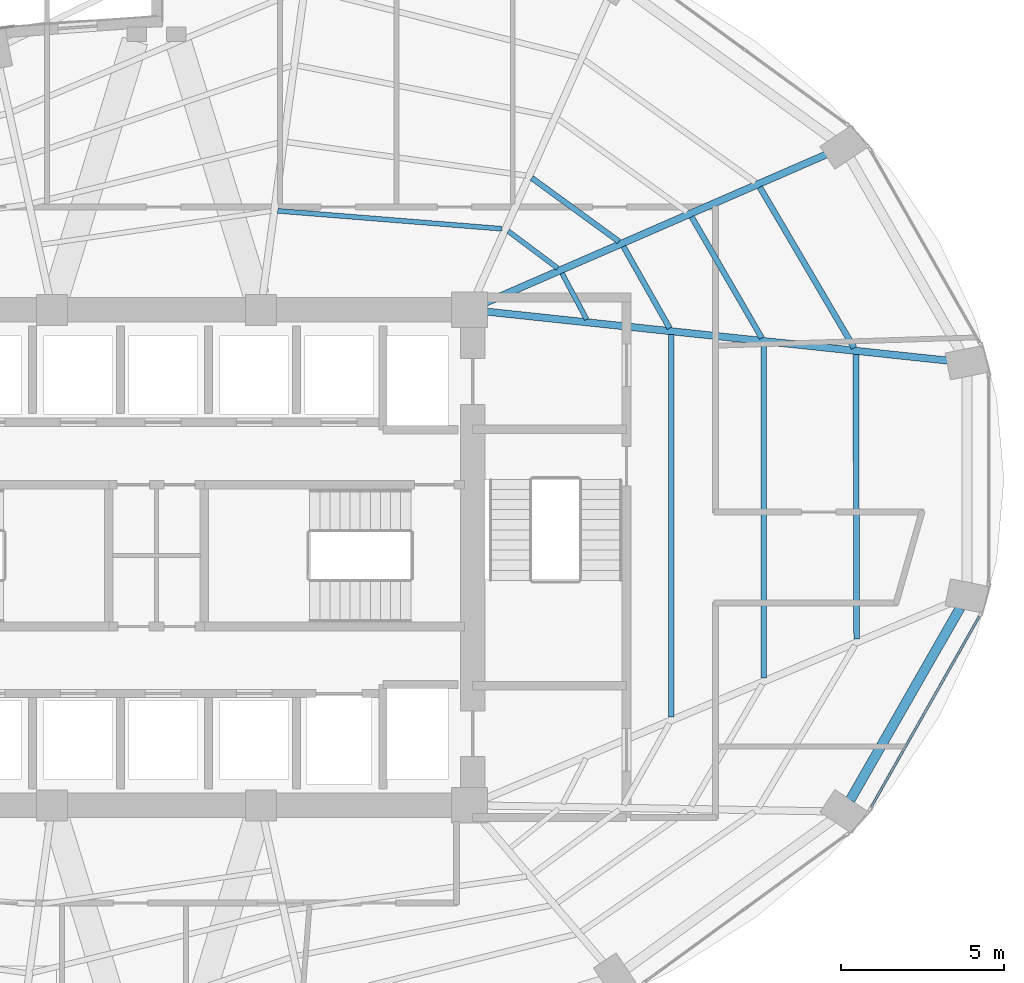
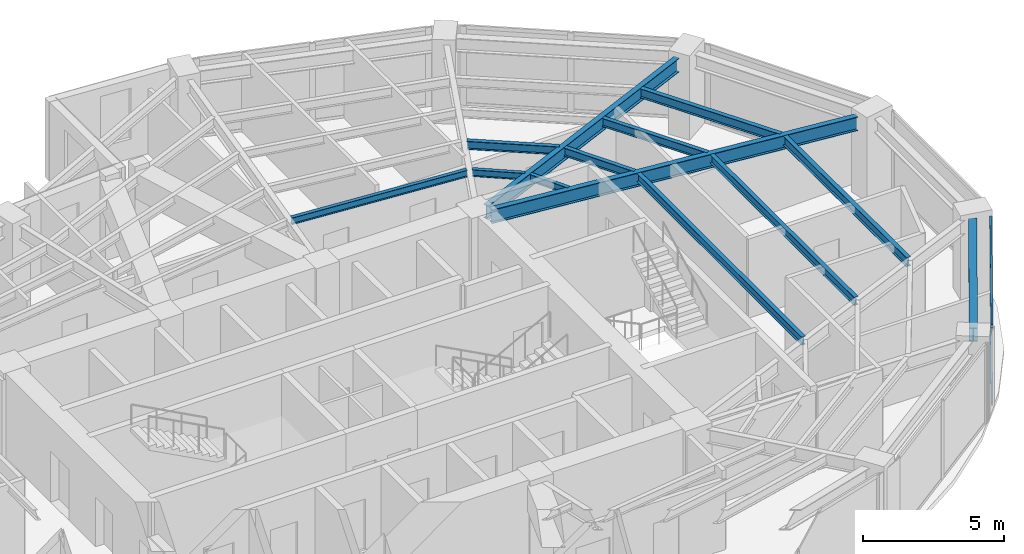
# One storey, part 12 of 23: 13 beams, 2 members, 1 element without a shape of its own.
"""IFC4 building model written with IfcOpenShell, lengths in metres."""

from ifc_helpers import new_model, si_unit, direction, frame, origin, origin_2d, place, context, subcontext, project, spatial, hollow_rectangle, i_section, extrude, material, layer, layer_set, material_profile, profile_set, type_object, element, aggregate, save


model = new_model("IFC4")

# Units and contexts
model_context = context("Model", 3, precision=1e-05, world=origin(), true_north=direction((0.0, 1.0)))
body_context = subcontext(model_context, "Body", "Model", "MODEL_VIEW")
ifc_project = project(units=[si_unit("LENGTHUNIT", "METRE"), si_unit("AREAUNIT", "SQUARE_METRE"), si_unit("VOLUMEUNIT", "CUBIC_METRE"), si_unit("PLANEANGLEUNIT", "RADIAN"), si_unit("MASSUNIT", "GRAM", prefix="KILO")], contexts=[model_context])

# Site, building, storey
site_placement = place(None, origin())
site = spatial("IfcSite", under=ifc_project, at=site_placement, CompositionType="ELEMENT")
building_placement = place(site_placement, origin())
building = spatial("IfcBuilding", under=site, at=building_placement, Name="Lazwardi Medical Tower", CompositionType="ELEMENT")
storey_placement = place(building_placement, frame((0.0, 0.0, 89.0400390625)))
storey = spatial("IfcBuildingStorey", under=building, at=storey_placement, Name="L22", CompositionType="ELEMENT", Elevation=89.0400390625)

# Beams
ifc_material_1 = material(Name="Steel S355", Category="steel")
ifc_material_profile_1 = material_profile(ifc_material_1, i_section(OverallWidth=0.300048828125, OverallDepth=0.60009765625, WebThickness=0.015380859375, FlangeThickness=0.030029296875, at=origin_2d()), Name="HEB 600")
ifc_profile_set_1 = profile_set([ifc_material_profile_1], Name="Steel S355")
beam_type_1 = type_object("IfcBeamType", Name="BM-RB-Z2", PredefinedType="BEAM", material=ifc_profile_set_1)
beam_1_placement = place(storey_placement, frame((57.281494140625, 20.561279296875, 3.1279296875), z_axis=(0.496653025517, 0.867949176072, 0.0), x_axis=(-0.867949176072, 0.496653025517, 0.0)))
element("IfcBeam", 1, at=beam_1_placement, inside=storey, type_object=beam_type_1, Name="Ring beam RB-03 B03 L22", PredefinedType="BEAM", context=body_context, shape_type="SweptSolid", body=[
    extrude(i_section(OverallWidth=0.300048828125, OverallDepth=0.60009765625, WebThickness=0.015380859375, FlangeThickness=0.030029296875, at=origin_2d()), origin(), (0.0, 0.0, 1.0), 6.80078125),
])
ifc_material_profile_2 = material_profile(ifc_material_1, i_section(OverallWidth=0.219970703125, OverallDepth=0.60009765625, WebThickness=0.011962890625, FlangeThickness=0.01904296875, at=origin_2d()), Name="IPE 600")
ifc_profile_set_2 = profile_set([ifc_material_profile_2], Name="Steel S355")
beam_type_2 = type_object("IfcBeamType", Name="BM-RG-W1", PredefinedType="BEAM", material=ifc_profile_set_2)
beam_2_placement = place(storey_placement, frame((60.2861328125, 34.041015625, 3.1279296875), z_axis=(-0.994413340753, 0.10555618282, 0.0), x_axis=(-0.10555618282, -0.994413340753, 0.0)))
element("IfcBeam", 2, at=beam_2_placement, inside=storey, type_object=beam_type_2, Name="Radial girder RG-02 R05 L22", PredefinedType="BEAM", context=body_context, shape_type="SweptSolid", body=[
    extrude(i_section(OverallWidth=0.219970703125, OverallDepth=0.60009765625, WebThickness=0.011962890625, FlangeThickness=0.01904296875, at=origin_2d()), origin(), (0.0, 0.0, 1.0), 14.233642578125),
])
beam_3_placement = place(storey_placement, frame((56.5458984375, 40.36328125, 3.1279296875), z_axis=(-0.916941336121, -0.399022037127, 0.0), x_axis=(0.399022037127, -0.916941336121, 0.0)))
element("IfcBeam", 3, at=beam_3_placement, inside=storey, type_object=beam_type_2, Name="Radial girder RG-02 R06 L22", PredefinedType="BEAM", context=body_context, shape_type="SweptSolid", body=[
    extrude(i_section(OverallWidth=0.219970703125, OverallDepth=0.60009765625, WebThickness=0.011962890625, FlangeThickness=0.01904296875, at=origin_2d()), origin(), (0.0, 0.0, 1.0), 11.40234375),
])
ifc_material_profile_3 = material_profile(ifc_material_1, i_section(OverallWidth=0.179931640625, OverallDepth=0.39990234375, WebThickness=0.008544921875, FlangeThickness=0.013427734375, at=origin_2d()), Name="IPE 400")
ifc_profile_set_3 = profile_set([ifc_material_profile_3], Name="Steel S355")
beam_type_3 = type_object("IfcBeamType", Name="BM-SJ-01", PredefinedType="JOIST", material=ifc_profile_set_3)
beam_4_placement = place(storey_placement, frame((57.48095703125, 25.502685546875, 3.22802734375), z_axis=(-0.002907126978, 0.999995774297, 0.0), x_axis=(-0.999995774297, -0.002907126978, 0.0)))
element("IfcBeam", 4, at=beam_4_placement, inside=storey, type_object=beam_type_3, Name="Secondary joist SJ-01 R1 B04 L22", PredefinedType="JOIST", context=body_context, shape_type="SweptSolid", body=[
    extrude(i_section(OverallWidth=0.179931640625, OverallDepth=0.39990234375, WebThickness=0.008544921875, FlangeThickness=0.013427734375, at=origin_2d()), origin(), (0.0, 0.0, 1.0), 8.73388671875),
])
beam_5_placement = place(storey_placement, frame((57.402099609375, 34.43212890625, 3.22802734375), z_axis=(-0.506195045201, 0.862419025888, 0.0), x_axis=(-0.862419025888, -0.506195045201, 0.0)))
element("IfcBeam", 5, at=beam_5_placement, inside=storey, type_object=beam_type_3, Name="Secondary joist SJ-01 R1 B05 L22", PredefinedType="JOIST", context=body_context, shape_type="SweptSolid", body=[
    extrude(i_section(OverallWidth=0.179931640625, OverallDepth=0.39990234375, WebThickness=0.008544921875, FlangeThickness=0.013427734375, at=origin_2d()), origin(), (0.0, 0.0, 1.0), 5.71728515625),
])
ifc_material_profile_4 = material_profile(ifc_material_1, i_section(OverallWidth=0.169921875, OverallDepth=0.360107421875, WebThickness=0.008056640625, FlangeThickness=0.0126953125, at=origin_2d()), Name="IPE 360")
ifc_profile_set_4 = profile_set([ifc_material_profile_4], Name="Steel S355")
beam_type_4 = type_object("IfcBeamType", Name="BM-SJ-02", PredefinedType="JOIST", material=ifc_profile_set_4)
beam_6_placement = place(storey_placement, frame((54.634033203125, 24.30517578125, 3.248046875), z_axis=(-0.000930565095, 0.999999567024, 0.0), x_axis=(-0.999999567024, -0.000930565095, 0.0)))
element("IfcBeam", 6, at=beam_6_placement, inside=storey, type_object=beam_type_4, Name="Secondary joist SJ-02 R2 B04 L22", PredefinedType="JOIST", context=body_context, shape_type="SweptSolid", body=[
    extrude(i_section(OverallWidth=0.169921875, OverallDepth=0.360107421875, WebThickness=0.008056640625, FlangeThickness=0.0126953125, at=origin_2d()), origin(), (0.0, 0.0, 1.0), 10.23193359375),
])
beam_7_placement = place(storey_placement, frame((54.57177734375, 34.73291015625, 3.248046875), z_axis=(-0.501365325212, 0.865235696602, 0.0), x_axis=(-0.865235696602, -0.501365325212, 0.0)))
element("IfcBeam", 7, at=beam_7_placement, inside=storey, type_object=beam_type_4, Name="Secondary joist SJ-02 R2 B05 L22", PredefinedType="JOIST", context=body_context, shape_type="SweptSolid", body=[
    extrude(i_section(OverallWidth=0.169921875, OverallDepth=0.360107421875, WebThickness=0.008056640625, FlangeThickness=0.0126953125, at=origin_2d()), origin(), (0.0, 0.0, 1.0), 4.298828125),
])
beam_8_placement = place(storey_placement, frame((51.787109375, 23.107421875, 3.248046875), z_axis=(0.000561961365, 0.9999998421, 0.0), x_axis=(-0.9999998421, 0.000561961365, 0.0)))
element("IfcBeam", 8, at=beam_8_placement, inside=storey, type_object=beam_type_4, Name="Secondary joist SJ-02 R3 B04 L22", PredefinedType="JOIST", context=body_context, shape_type="SweptSolid", body=[
    extrude(i_section(OverallWidth=0.169921875, OverallDepth=0.360107421875, WebThickness=0.008056640625, FlangeThickness=0.0126953125, at=origin_2d()), origin(), (0.0, 0.0, 1.0), 11.72998046875),
])
beam_9_placement = place(storey_placement, frame((51.741943359375, 35.033935546875, 3.248046875), z_axis=(-0.492026539517, 0.870580199873, 0.0), x_axis=(-0.870580199873, -0.492026539517, 0.0)))
element("IfcBeam", 9, at=beam_9_placement, inside=storey, type_object=beam_type_4, Name="Secondary joist SJ-02 R3 B05 L22", PredefinedType="JOIST", context=body_context, shape_type="SweptSolid", body=[
    extrude(i_section(OverallWidth=0.169921875, OverallDepth=0.360107421875, WebThickness=0.008056640625, FlangeThickness=0.0126953125, at=origin_2d()), origin(), (0.0, 0.0, 1.0), 2.880859375),
])
beam_10_placement = place(storey_placement, frame((50.18798828125, 37.6953125, 3.248046875), z_axis=(-0.808301737247, 0.588768461761, 0.0), x_axis=(-0.588768461761, -0.808301737247, 0.0)))
element("IfcBeam", 10, at=beam_10_placement, inside=storey, type_object=beam_type_4, Name="Secondary joist SJ-02 R3 B06 L22", PredefinedType="JOIST", context=body_context, shape_type="SweptSolid", body=[
    extrude(i_section(OverallWidth=0.169921875, OverallDepth=0.360107421875, WebThickness=0.008056640625, FlangeThickness=0.0126953125, at=origin_2d()), origin(), (0.0, 0.0, 1.0), 3.307373046875),
])
ifc_material_profile_5 = material_profile(ifc_material_1, i_section(OverallWidth=0.14990234375, OverallDepth=0.300048828125, WebThickness=0.007080078125, FlangeThickness=0.0107421875, at=origin_2d()), Name="IPE 300")
ifc_profile_set_5 = profile_set([ifc_material_profile_5], Name="Steel S355")
beam_type_5 = type_object("IfcBeamType", Name="BM-SJ-03", PredefinedType="JOIST", material=ifc_profile_set_5)
beam_11_placement = place(storey_placement, frame((49.1962890625, 35.3056640625, 3.278076171875), z_axis=(-0.471022344925, 0.882121278839, 0.0), x_axis=(-0.882121278839, -0.471022344925, 0.0)))
element("IfcBeam", 11, at=beam_11_placement, inside=storey, type_object=beam_type_5, Name="Secondary joist SJ-03 R4 B05 L22", PredefinedType="JOIST", context=body_context, shape_type="SweptSolid", body=[
    extrude(i_section(OverallWidth=0.14990234375, OverallDepth=0.300048828125, WebThickness=0.007080078125, FlangeThickness=0.0107421875, at=origin_2d()), origin(), (0.0, 0.0, 1.0), 1.605224609375),
])
beam_12_placement = place(storey_placement, frame((48.306640625, 36.87744140625, 3.278076171875), z_axis=(-0.800447687995, 0.599402618265, 0.0), x_axis=(-0.599402618265, -0.800447687995, 0.0)))
element("IfcBeam", 12, at=beam_12_placement, inside=storey, type_object=beam_type_5, Name="Secondary joist SJ-03 R4 B06 L22", PredefinedType="JOIST", context=body_context, shape_type="SweptSolid", body=[
    extrude(i_section(OverallWidth=0.14990234375, OverallDepth=0.300048828125, WebThickness=0.007080078125, FlangeThickness=0.0107421875, at=origin_2d()), origin(), (0.0, 0.0, 1.0), 1.896728515625),
])
beam_13_placement = place(storey_placement, frame((46.599609375, 38.085693359375, 3.278076171875), z_axis=(-0.996816178299, 0.079733974445, 0.0), x_axis=(-0.079733974445, -0.996816178299, 0.0)))
element("IfcBeam", 13, at=beam_13_placement, inside=storey, type_object=beam_type_5, Name="Secondary joist SJ-03 R4 B07 L22", PredefinedType="JOIST", context=body_context, shape_type="SweptSolid", body=[
    extrude(i_section(OverallWidth=0.14990234375, OverallDepth=0.300048828125, WebThickness=0.007080078125, FlangeThickness=0.0107421875, at=origin_2d()), origin(), (0.0, 0.0, 1.0), 6.901611328125),
])

# Curtain wall, members
ifc_material_2 = material(Name="Anodised bronze aluminium and solar control glazing", Category="aluminium")
ifc_layer = layer(ifc_material_2, 0.195068359375)
ifc_layer_set = layer_set([ifc_layer], Name="Anodised bronze aluminium and solar control glazing")
curtain_wall_type = type_object("IfcCurtainWallType", Name="CW-SYS-03", PredefinedType="NOTDEFINED", material=ifc_layer_set)
curtain_wall_placement = place(storey_placement, origin())
curtain_wall = element("IfcCurtainWall", 14, at=curtain_wall_placement, inside=storey, type_object=curtain_wall_type, Name="L22 Unitised bronze curtain wall CW-03", PredefinedType="NOTDEFINED")
ifc_material_3 = material(Name="Anodised bronze aluminium", Category="aluminium")
ifc_material_profile_6 = material_profile(ifc_material_3, hollow_rectangle(XDim=0.074951171875, YDim=0.159912109375, WallThickness=0.00390625, at=origin_2d()), Name="ALU-TRANSOM 160x75x4")
ifc_profile_set_6 = profile_set([ifc_material_profile_6], Name="Anodised bronze aluminium")
member_type = type_object("IfcMemberType", Name="CW-TRN-01", PredefinedType="USERDEFINED", material=ifc_profile_set_6)
member_1_placement = place(storey_placement, frame((57.925537109375, 20.3466796875, 0.037353515625), z_axis=(0.493614427365, 0.869680859337, 0.0), x_axis=(-0.869680859337, 0.493614427365, 0.0)))
member_1 = element("IfcMember", 15, at=member_1_placement, type_object=member_type, Name="CW-03 transom 1.1", ObjectType="TRANSOM", PredefinedType="USERDEFINED", context=body_context, shape_type="SweptSolid", body=[
    extrude(hollow_rectangle(XDim=0.074951171875, YDim=0.159912109375, WallThickness=0.00390625, at=origin_2d()), origin(), (0.0, 0.0, 1.0), 6.72314453125),
])
member_2_placement = place(storey_placement, frame((57.925537109375, 20.3466796875, 3.390380859375), z_axis=(0.493614427365, 0.869680859337, 0.0), x_axis=(-0.869680859337, 0.493614427365, 0.0)))
member_2 = element("IfcMember", 16, at=member_2_placement, type_object=member_type, Name="CW-03 transom 1.2", ObjectType="TRANSOM", PredefinedType="USERDEFINED", context=body_context, shape_type="SweptSolid", body=[
    extrude(hollow_rectangle(XDim=0.074951171875, YDim=0.159912109375, WallThickness=0.00390625, at=origin_2d()), origin(), (0.0, 0.0, 1.0), 6.72314453125),
])
aggregate(curtain_wall, [member_1, member_2])

save(model, "model.ifc")
